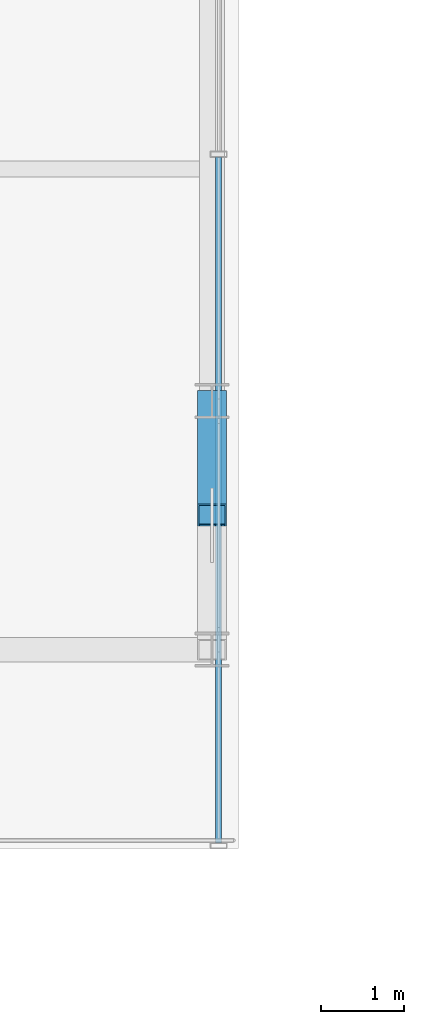
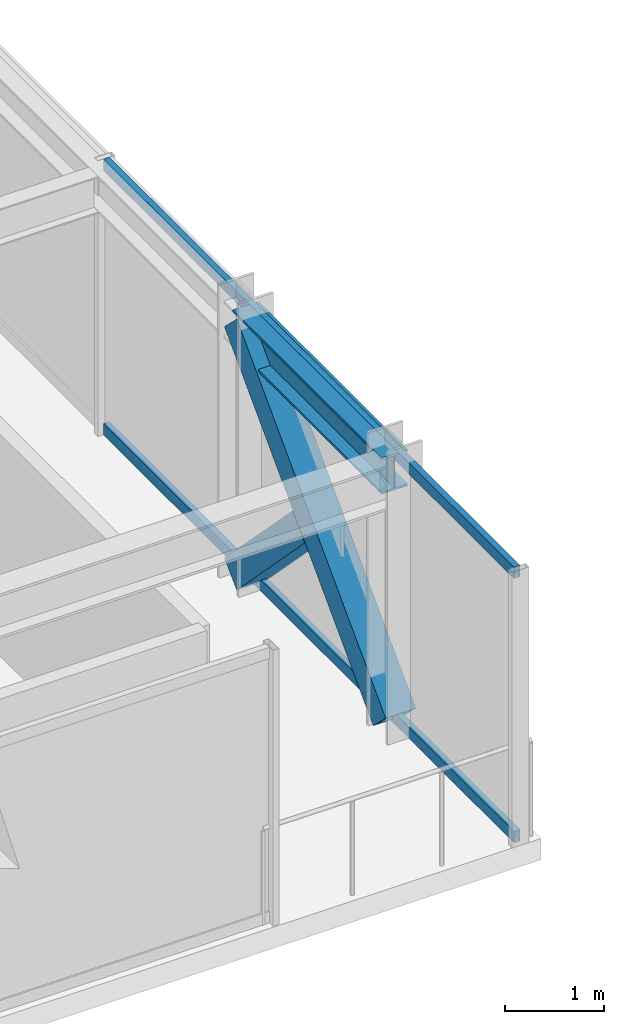
# One storey, part 19 of 41: 4 members, 1 beam, 1 element without a shape of its own.
"""IFC4 building model written with IfcOpenShell, lengths in metres."""

from ifc_helpers import new_model, si_unit, direction, frame, origin, origin_2d, place, context, subcontext, project, spatial, hollow_rectangle, i_section, extrude, source, transform, mapped, material, material_profile, profile_set, type_object, element, aggregate, save


model = new_model("IFC4")

# Units and contexts
model_context = context("Model", 3, precision=1e-05, world=origin(), true_north=direction((0.0, 1.0)))
body_context = subcontext(model_context, "Body", "Model", "MODEL_VIEW")
ifc_project = project(units=[si_unit("LENGTHUNIT", "METRE"), si_unit("AREAUNIT", "SQUARE_METRE"), si_unit("VOLUMEUNIT", "CUBIC_METRE"), si_unit("PLANEANGLEUNIT", "RADIAN"), si_unit("MASSUNIT", "GRAM", prefix="KILO")], contexts=[model_context])

# Site, building, storey
site_placement = place(None, origin())
site = spatial("IfcSite", under=ifc_project, at=site_placement, CompositionType="ELEMENT")
building_placement = place(site_placement, origin())
building = spatial("IfcBuilding", under=site, at=building_placement, Name="Nahalor Promenade Grand Hotel", CompositionType="ELEMENT")
storey_placement = place(building_placement, frame((0.0, 0.0, 159.949951171875)))
storey = spatial("IfcBuildingStorey", under=building, at=storey_placement, Name="L40", CompositionType="ELEMENT", Elevation=159.949951171875)

# Beam
ifc_material_1 = material(Name="Steel S355JR", Category="steel")
ifc_material_profile_1 = material_profile(ifc_material_1, i_section(OverallWidth=0.3, OverallDepth=0.45, WebThickness=0.014, FlangeThickness=0.026, at=origin_2d()), Name="HEB 450")
ifc_profile_set_1 = profile_set([ifc_material_profile_1], Name="Steel S355JR")
beam_type = type_object("IfcBeamType", Name="Beam-Spandrel-HEB450", PredefinedType="SPANDREL", material=ifc_profile_set_1)
shared_shape_1 = source(origin(), body_context, "Body", "SweptSolid", [
    extrude(i_section(OverallWidth=0.3, OverallDepth=0.45, WebThickness=0.014, FlangeThickness=0.026, at=origin_2d()), origin(), (0.0, 0.0, 1.0), 3.0),
])
beam_placement = place(storey_placement, frame((22.47998046875, 5.39990234375, 3.1650390625), z_axis=(0.0, 1.0, 0.0), x_axis=(-1.0, 0.0, 0.0)))
element("IfcBeam", 1, at=beam_placement, inside=storey, type_object=beam_type, Name="BM-L40-SP-E-3", PredefinedType="SPANDREL", context=body_context, shape_type="MappedRepresentation", body=[
    mapped(shared_shape_1, transform((0.0, 0.0, 0.0), scale=1.0)),
])

# Members
ifc_material_profile_2 = material_profile(ifc_material_1, hollow_rectangle(XDim=0.35, YDim=0.35, WallThickness=0.02, at=origin_2d()), Name="SHS 350x350x20")
ifc_profile_set_2 = profile_set([ifc_material_profile_2], Name="Steel S355JR")
member_type_1 = type_object("IfcMemberType", Name="Mem-VoidBrace-SHS350", PredefinedType="BRACE", material=ifc_profile_set_2)
shared_shape_2 = source(origin(), body_context, "Body", "SweptSolid", [
    extrude(hollow_rectangle(XDim=0.35, YDim=0.35, WallThickness=0.02, at=origin_2d()), origin(), (0.0, 0.0, 1.0), 4.306640625),
])
member_1_placement = place(storey_placement, frame((22.47998046875, 5.39990234375, 0.150146484375), z_axis=(0.0, 0.696598997639, 0.717460686371), x_axis=(-1.0, 0.0, 0.0)))
element("IfcMember", 2, at=member_1_placement, inside=storey, type_object=member_type_1, Name="EXO-L40-VX1-E1", PredefinedType="BRACE", context=body_context, shape_type="MappedRepresentation", body=[
    mapped(shared_shape_2, transform((0.0, 0.0, 0.0), scale=1.0)),
])
shared_shape_3 = source(origin(), body_context, "Body", "SweptSolid", [
    extrude(hollow_rectangle(XDim=0.35, YDim=0.35, WallThickness=0.02, at=origin_2d()), origin(), (0.0, 0.0, 1.0), 1.966064453125),
])
member_2_placement = place(storey_placement, frame((22.47998046875, 8.39990234375, 0.150146484375), z_axis=(0.0, -0.696599482471, 0.717460215636), x_axis=(1.0, 0.0, 0.0)))
element("IfcMember", 3, at=member_2_placement, inside=storey, type_object=member_type_1, Name="EXO-L40-VX2-E1A", PredefinedType="BRACE", context=body_context, shape_type="MappedRepresentation", body=[
    mapped(shared_shape_3, transform((0.0, 0.0, 0.0), scale=1.0)),
])

# Curtain wall, members
ifc_material_2 = material(Name="Anodised Bronze Aluminium EN AW-6063 T6", Category="aluminium")
curtain_wall_type = type_object("IfcCurtainWallType", Name="CW3 Elliptical-Void Collar Unitised Curtain Wall", PredefinedType="USERDEFINED", material=ifc_material_2)
curtain_wall_placement = place(storey_placement, origin())
curtain_wall = element("IfcCurtainWall", 4, at=curtain_wall_placement, inside=storey, type_object=curtain_wall_type, Name="L40 Curtain Wall CW-L40-E-4", ObjectType="UNITISED_CURTAIN_WALL", PredefinedType="USERDEFINED")
ifc_material_profile_3 = material_profile(ifc_material_2, hollow_rectangle(XDim=0.07, YDim=0.14, WallThickness=0.004, at=origin_2d()), Name="CWT 70x140x4")
ifc_profile_set_3 = profile_set([ifc_material_profile_3], Name="Anodised Bronze Aluminium EN AW-6063 T6")
member_type_2 = type_object("IfcMemberType", Name="CWT3 Void Collar Transom 70x140", PredefinedType="USERDEFINED", material=ifc_profile_set_3)
shared_shape_4 = source(origin(), body_context, "Body", "SweptSolid", [
    extrude(hollow_rectangle(XDim=0.07, YDim=0.14, WallThickness=0.004, at=origin_2d()), origin(), (0.0, 0.0, 1.0), 8.275390625),
])
member_3_placement = place(storey_placement, frame((22.56005859375, 3.069091796875, 0.070068359375), z_axis=(0.0, 1.0, 0.0), x_axis=(-1.0, 0.0, 0.0)))
member_3 = element("IfcMember", 5, at=member_3_placement, type_object=member_type_2, Name="CW-L40-E-4 Transom 0-0", ObjectType="TRANSOM", PredefinedType="USERDEFINED", context=body_context, shape_type="MappedRepresentation", body=[
    mapped(shared_shape_4, transform((0.0, 0.0, 0.0), scale=1.0)),
])
member_4_placement = place(storey_placement, frame((22.56005859375, 3.069091796875, 3.320068359375), z_axis=(0.0, 1.0, 0.0), x_axis=(-1.0, 0.0, 0.0)))
member_4 = element("IfcMember", 6, at=member_4_placement, type_object=member_type_2, Name="CW-L40-E-4 Transom 0-1", ObjectType="TRANSOM", PredefinedType="USERDEFINED", context=body_context, shape_type="MappedRepresentation", body=[
    mapped(shared_shape_4, transform((0.0, 0.0, 0.0), scale=1.0)),
])
aggregate(curtain_wall, [member_3, member_4])

save(model, "model.ifc")
